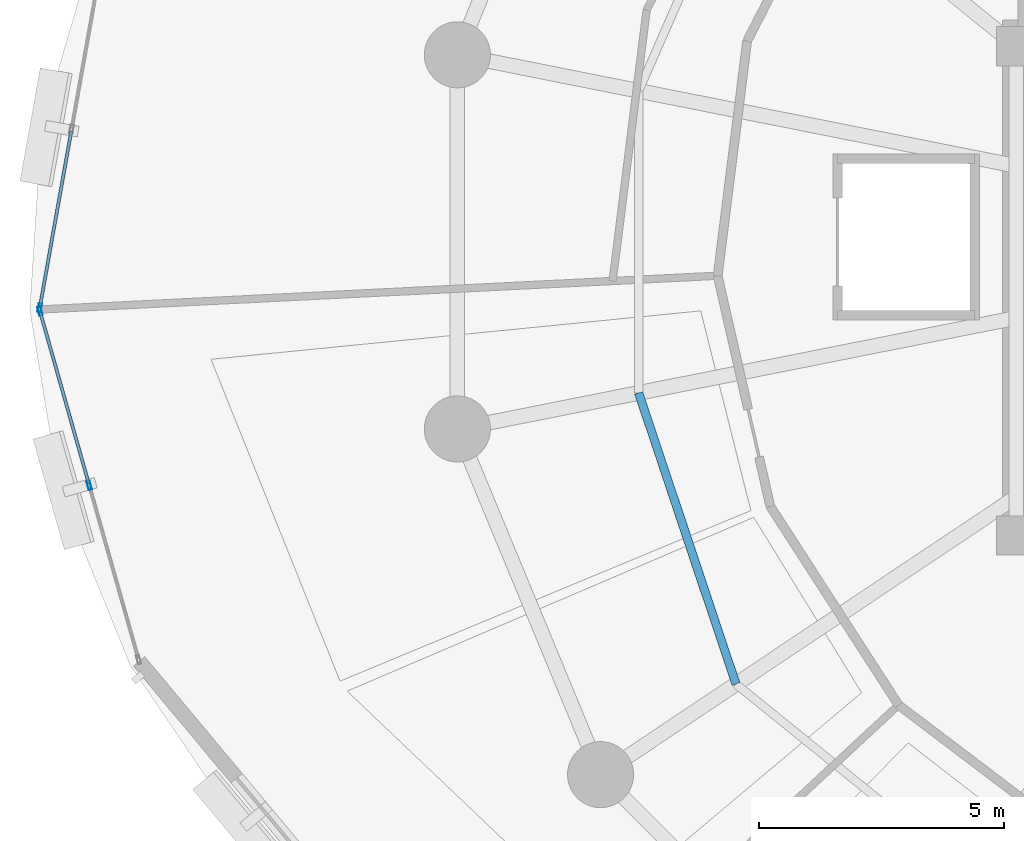
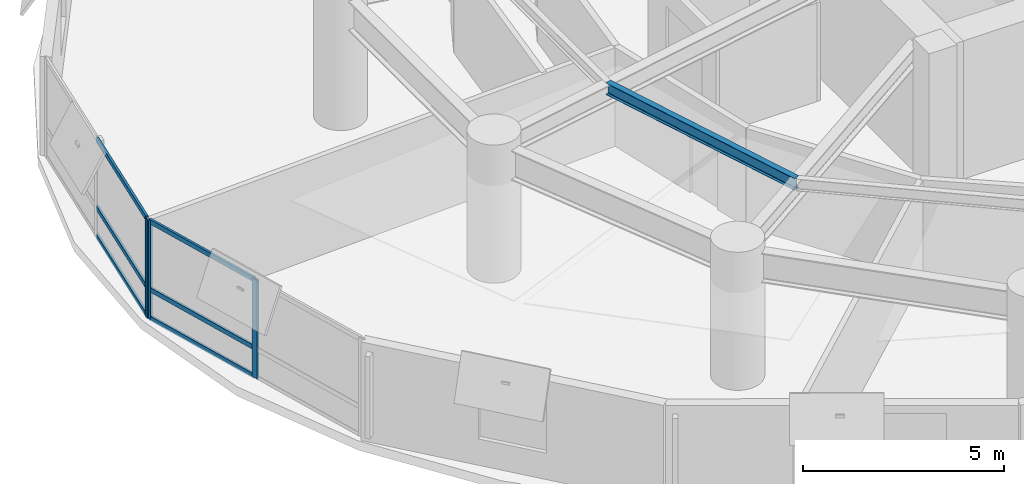
# One storey, part 4 of 16: 9 members, 1 beam, 2 elements without a shape of their own.
"""IFC4 building model written with IfcOpenShell, lengths in metres."""

from ifc_helpers import new_model, si_unit, direction, frame, origin, origin_2d, place, context, subcontext, project, spatial, hollow_rectangle, i_section, extrude, material, layer, layer_set, material_profile, profile_set, type_object, element, aggregate, save


model = new_model("IFC4")

# Units and contexts
model_context = context("Model", 3, precision=1e-05, world=origin(), true_north=direction((0.0, 1.0)))
body_context = subcontext(model_context, "Body", "Model", "MODEL_VIEW")
ifc_project = project(units=[si_unit("LENGTHUNIT", "METRE"), si_unit("AREAUNIT", "SQUARE_METRE"), si_unit("VOLUMEUNIT", "CUBIC_METRE"), si_unit("PLANEANGLEUNIT", "RADIAN"), si_unit("MASSUNIT", "GRAM", prefix="KILO"), si_unit("THERMODYNAMICTEMPERATUREUNIT", "KELVIN"), si_unit("POWERUNIT", "WATT")], contexts=[model_context])

# Site, building, storey
site_placement = place(None, origin())
site = spatial("IfcSite", under=ifc_project, at=site_placement, CompositionType="ELEMENT")
building_placement = place(site_placement, origin())
building = spatial("IfcBuilding", under=site, at=building_placement, Name="Ocrelia Relay Tower", CompositionType="ELEMENT")
storey_placement = place(building_placement, frame((0.0, 0.0, 42.60009765625)))
storey = spatial("IfcBuildingStorey", under=building, at=storey_placement, Name="L09", CompositionType="ELEMENT", Elevation=42.60009765625)

# Beam
ifc_material_1 = material(Name="Steel S355", Category="steel")
ifc_material_profile_1 = material_profile(ifc_material_1, i_section(OverallWidth=0.169921875, OverallDepth=0.360107421875, WebThickness=0.008056640625, FlangeThickness=0.0126953125, FilletRadius=0.01806640625, at=origin_2d()), Name="IPE 360")
ifc_profile_set_1 = profile_set([ifc_material_profile_1], Name="Steel S355")
beam_type = type_object("IfcBeamType", Name="BM-IPE360", PredefinedType="JOIST", material=ifc_profile_set_1)
beam_placement = place(storey_placement, frame((18.481689453125, 22.9130859375, 3.739990234375), z_axis=(0.317067865999, -0.948402851298, 0.0), x_axis=(0.948402851298, 0.317067865999, 0.0)))
element("IfcBeam", 1, at=beam_placement, inside=storey, type_object=beam_type, Name="L09 Secondary Floor Joist J09", PredefinedType="JOIST", context=body_context, shape_type="SweptSolid", body=[
    extrude(i_section(OverallWidth=0.169921875, OverallDepth=0.360107421875, WebThickness=0.008056640625, FlangeThickness=0.0126953125, FilletRadius=0.01806640625, at=origin_2d()), origin(), (0.0, 0.0, 1.0), 6.276123046875),
])

# Curtain wall, member
ifc_material_2 = material(Name="Aluminium and solar-control low-E glass", Category="aluminium")
ifc_layer = layer(ifc_material_2, 0.179931640625, Name="Aluminium and solar-control low-E glass")
ifc_layer_set = layer_set([ifc_layer], Name="Aluminium and solar-control low-E glass")
curtain_wall_type = type_object("IfcCurtainWallType", Name="CW-SYS-Z1-DATA", PredefinedType="NOTDEFINED", material=ifc_layer_set)
curtain_wall_1_placement = place(storey_placement, origin())
curtain_wall_1 = element("IfcCurtainWall", 2, at=curtain_wall_1_placement, inside=storey, type_object=curtain_wall_type, Name="L09 Elliptical Tower Curtain Wall Bay 09", PredefinedType="NOTDEFINED")
ifc_material_3 = material(Name="Anodised bronze aluminium", Category="aluminium")
ifc_material_profile_2 = material_profile(ifc_material_3, hollow_rectangle(XDim=0.070068359375, YDim=0.179931640625, WallThickness=0.006103515625, at=origin_2d()), Name="CW-MUL-180x70")
ifc_profile_set_2 = profile_set([ifc_material_profile_2], Name="Anodised bronze aluminium")
member_type_1 = type_object("IfcMemberType", Name="CW-SYS-Z1-DATA-MUL", PredefinedType="MULLION", material=ifc_profile_set_2)
member_1_placement = place(storey_placement, frame((6.240478515625, 24.652099609375, 0.0), z_axis=(0.0, 0.0, 1.0), x_axis=(0.984473344975, -0.175534136375, 0.0)))
member_1 = element("IfcMember", 3, at=member_1_placement, type_object=member_type_1, Name="CW-Z1 mullion 3", PredefinedType="MULLION", context=body_context, shape_type="SweptSolid", body=[
    extrude(hollow_rectangle(XDim=0.070068359375, YDim=0.179931640625, WallThickness=0.006103515625, at=origin_2d()), origin(), (0.0, 0.0, 1.0), 3.0),
])

# Curtain wall, members
curtain_wall_2_placement = place(storey_placement, origin())
curtain_wall_2 = element("IfcCurtainWall", 4, at=curtain_wall_2_placement, inside=storey, type_object=curtain_wall_type, Name="L09 Elliptical Tower Curtain Wall Bay 10", PredefinedType="NOTDEFINED")
member_2_placement = place(storey_placement, frame((6.243896484375, 24.583984375, 0.0), z_axis=(0.0, 0.0, 1.0), x_axis=(0.962168934326, 0.27245355901, 0.0)))
member_2 = element("IfcMember", 5, at=member_2_placement, type_object=member_type_1, Name="CW-Z1 mullion 1", PredefinedType="MULLION", context=body_context, shape_type="SweptSolid", body=[
    extrude(hollow_rectangle(XDim=0.070068359375, YDim=0.179931640625, WallThickness=0.006103515625, at=origin_2d()), origin(), (0.0, 0.0, 1.0), 3.0),
])
member_3_placement = place(storey_placement, frame((7.252685546875, 21.021484375, 0.0), z_axis=(0.0, 0.0, 1.0), x_axis=(0.962168934326, 0.27245355901, 0.0)))
member_3 = element("IfcMember", 6, at=member_3_placement, type_object=member_type_1, Name="CW-Z1 mullion 2", PredefinedType="MULLION", context=body_context, shape_type="SweptSolid", body=[
    extrude(hollow_rectangle(XDim=0.070068359375, YDim=0.179931640625, WallThickness=0.006103515625, at=origin_2d()), origin(), (0.0, 0.0, 1.0), 3.0),
])

# Member
ifc_material_profile_3 = material_profile(ifc_material_3, hollow_rectangle(XDim=0.06494140625, YDim=0.139892578125, WallThickness=0.0048828125, at=origin_2d()), Name="CW-TRN-140x65")
ifc_profile_set_3 = profile_set([ifc_material_profile_3], Name="Anodised bronze aluminium")
member_type_2 = type_object("IfcMemberType", Name="CW-SYS-Z1-DATA-TRN", PredefinedType="USERDEFINED", material=ifc_profile_set_3)
member_4_placement = place(storey_placement, frame((6.88427734375, 28.262939453125, 0.032470703125), z_axis=(-0.175537101252, -0.984472816326, 0.0), x_axis=(0.984472816326, -0.175537101252, 0.0)))
member_4 = element("IfcMember", 7, at=member_4_placement, type_object=member_type_2, Name="CW-Z1 transom 2.1", ObjectType="TRANSOM", PredefinedType="USERDEFINED", context=body_context, shape_type="SweptSolid", body=[
    extrude(hollow_rectangle(XDim=0.06494140625, YDim=0.139892578125, WallThickness=0.0048828125, at=origin_2d()), origin(), (0.0, 0.0, 1.0), 3.6328125),
])

member_5_placement = place(storey_placement, frame((6.88427734375, 28.262939453125, 0.89990234375), z_axis=(-0.175537101252, -0.984472816326, 0.0), x_axis=(0.984472816326, -0.175537101252, 0.0)))
member_5 = element("IfcMember", 8, at=member_5_placement, type_object=member_type_2, Name="CW-Z1 transom 2.2", ObjectType="TRANSOM", PredefinedType="USERDEFINED", context=body_context, shape_type="SweptSolid", body=[
    extrude(hollow_rectangle(XDim=0.06494140625, YDim=0.139892578125, WallThickness=0.0048828125, at=origin_2d()), origin(), (0.0, 0.0, 1.0), 3.6328125),
])

member_6_placement = place(storey_placement, frame((6.88427734375, 28.262939453125, 2.96728515625), z_axis=(-0.175537101252, -0.984472816326, 0.0), x_axis=(0.984472816326, -0.175537101252, 0.0)))
member_6 = element("IfcMember", 9, at=member_6_placement, type_object=member_type_2, Name="CW-Z1 transom 2.3", ObjectType="TRANSOM", PredefinedType="USERDEFINED", context=body_context, shape_type="SweptSolid", body=[
    extrude(hollow_rectangle(XDim=0.06494140625, YDim=0.139892578125, WallThickness=0.0048828125, at=origin_2d()), origin(), (0.0, 0.0, 1.0), 3.6328125),
])

aggregate(curtain_wall_1, [member_1, member_4, member_5, member_6])

member_7_placement = place(storey_placement, frame((6.25341796875, 24.55029296875, 0.032470703125), z_axis=(0.272465697472, -0.962165497043, 0.0), x_axis=(0.962165497043, 0.272465697472, 0.0)))
member_7 = element("IfcMember", 10, at=member_7_placement, type_object=member_type_2, Name="CW-Z1 transom 1.1", ObjectType="TRANSOM", PredefinedType="USERDEFINED", context=body_context, shape_type="SweptSolid", body=[
    extrude(hollow_rectangle(XDim=0.06494140625, YDim=0.139892578125, WallThickness=0.0048828125, at=origin_2d()), origin(), (0.0, 0.0, 1.0), 3.632568359375),
])

member_8_placement = place(storey_placement, frame((6.25341796875, 24.55029296875, 0.89990234375), z_axis=(0.272465697472, -0.962165497043, 0.0), x_axis=(0.962165497043, 0.272465697472, 0.0)))
member_8 = element("IfcMember", 11, at=member_8_placement, type_object=member_type_2, Name="CW-Z1 transom 1.2", ObjectType="TRANSOM", PredefinedType="USERDEFINED", context=body_context, shape_type="SweptSolid", body=[
    extrude(hollow_rectangle(XDim=0.06494140625, YDim=0.139892578125, WallThickness=0.0048828125, at=origin_2d()), origin(), (0.0, 0.0, 1.0), 3.632568359375),
])

member_9_placement = place(storey_placement, frame((6.25341796875, 24.55029296875, 2.96728515625), z_axis=(0.272465697472, -0.962165497043, 0.0), x_axis=(0.962165497043, 0.272465697472, 0.0)))
member_9 = element("IfcMember", 12, at=member_9_placement, type_object=member_type_2, Name="CW-Z1 transom 1.3", ObjectType="TRANSOM", PredefinedType="USERDEFINED", context=body_context, shape_type="SweptSolid", body=[
    extrude(hollow_rectangle(XDim=0.06494140625, YDim=0.139892578125, WallThickness=0.0048828125, at=origin_2d()), origin(), (0.0, 0.0, 1.0), 3.632568359375),
])

aggregate(curtain_wall_2, [member_2, member_3, member_7, member_8, member_9])

save(model, "model.ifc")
